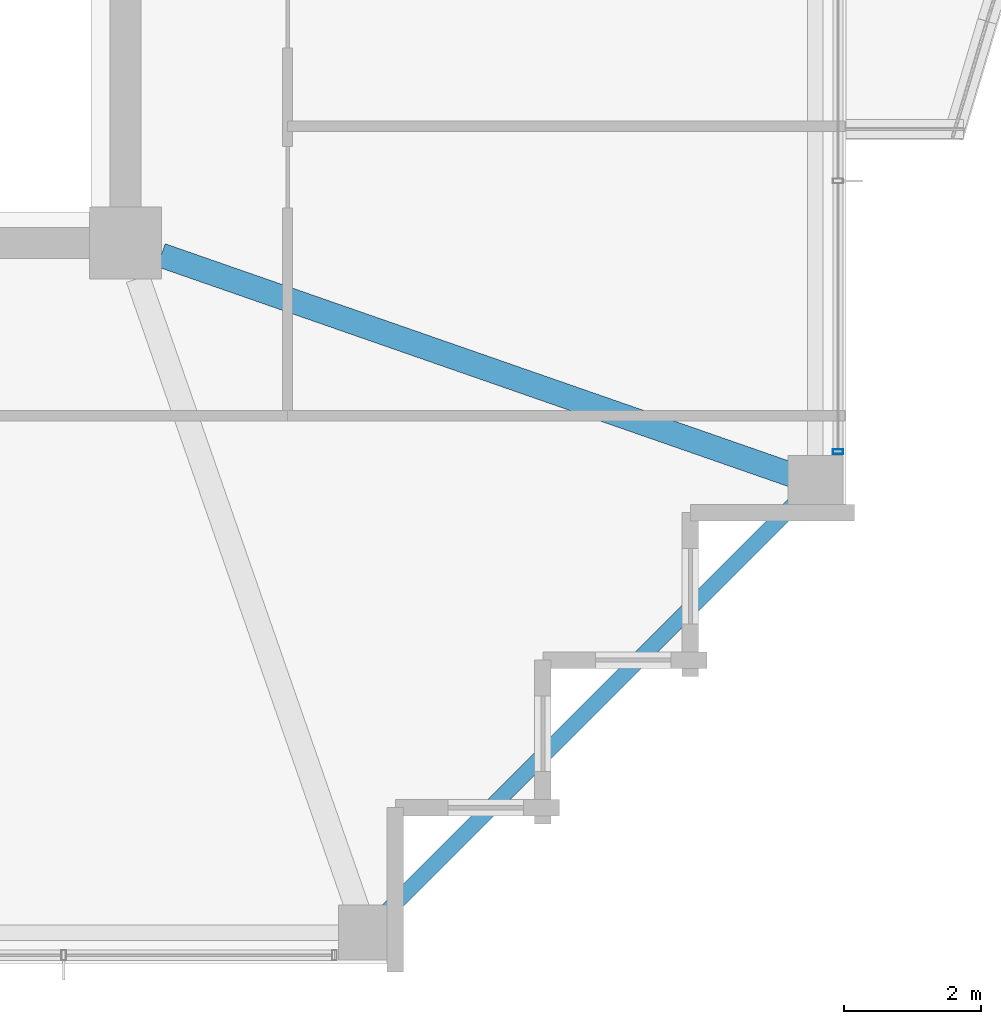
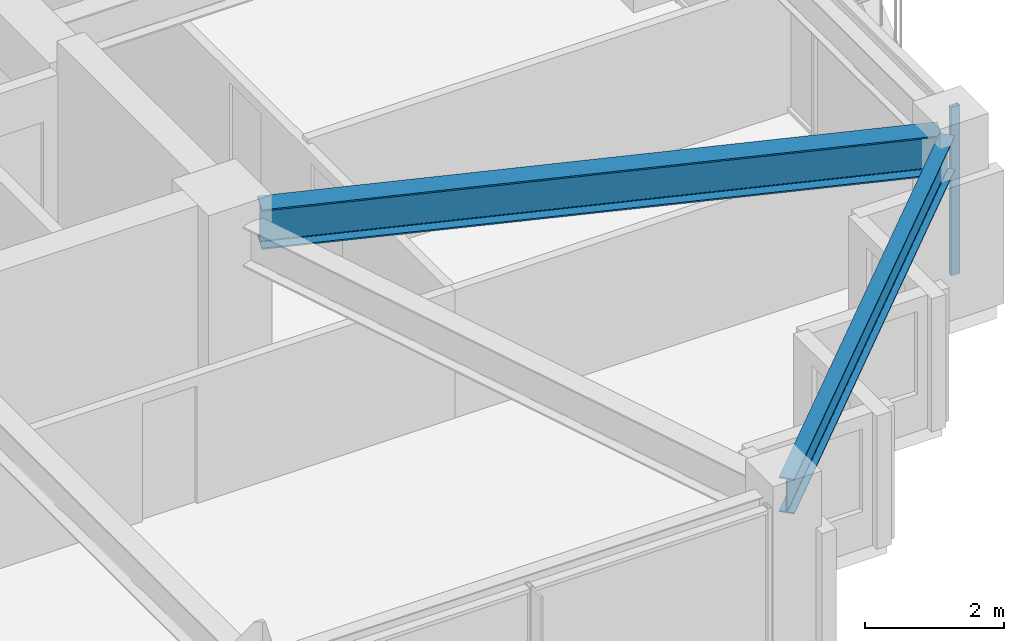
# One storey, part 11 of 34: 2 beams, 1 member, 1 element without a shape of its own.
"""IFC4 building model written with IfcOpenShell, lengths in metres."""

from ifc_helpers import new_model, si_unit, direction, frame, origin, origin_2d, place, context, subcontext, project, spatial, hollow_rectangle, i_section, extrude, material, material_profile, profile_set, type_object, element, aggregate, save


model = new_model("IFC4")

# Units and contexts
model_context = context("Model", 3, precision=1e-05, world=origin(), true_north=direction((0.0, 1.0)))
body_context = subcontext(model_context, "Body", "Model", "MODEL_VIEW")
ifc_project = project(units=[si_unit("LENGTHUNIT", "METRE"), si_unit("AREAUNIT", "SQUARE_METRE"), si_unit("VOLUMEUNIT", "CUBIC_METRE"), si_unit("PLANEANGLEUNIT", "RADIAN"), si_unit("MASSUNIT", "GRAM", prefix="KILO")], contexts=[model_context])

# Site, building, storey
site_placement = place(None, origin())
site = spatial("IfcSite", under=ifc_project, at=site_placement, CompositionType="ELEMENT")
building_placement = place(site_placement, origin())
building = spatial("IfcBuilding", under=site, at=building_placement, Name="Kolvaren Belvedere", CompositionType="ELEMENT")
storey_placement = place(building_placement, frame((0.0, 0.0, 229.5)))
storey = spatial("IfcBuildingStorey", under=building, at=storey_placement, Name="L67", CompositionType="ELEMENT", Elevation=229.5)

# Beams
ifc_material_1 = material(Name="Structural steel ASTM A992 Grade 50", Category="steel")
ifc_material_profile_1 = material_profile(ifc_material_1, i_section(OverallWidth=0.35498046875, OverallDepth=0.696044921875, WebThickness=0.015380859375, FlangeThickness=0.02490234375, FilletRadius=0.02197265625, at=origin_2d()), Name="W27X146")
ifc_profile_set_1 = profile_set([ifc_material_profile_1], Name="Structural steel ASTM A992 Grade 50")
beam_type_1 = type_object("IfcBeamType", Name="BM-GIRD-W27X146", PredefinedType="BEAM", material=ifc_profile_set_1)
beam_1_placement = place(storey_placement, frame((10.41943359375, -10.080810546875, 2.60205078125), z_axis=(0.944365399758, -0.328898147971, 0.0), x_axis=(0.328898147971, 0.944365399758, 0.0)))
element("IfcBeam", 1, at=beam_1_placement, inside=storey, type_object=beam_type_1, Name="L67 Corner Core-to-Perimeter Girder CC2-E1", PredefinedType="BEAM", context=body_context, shape_type="SweptSolid", body=[
    extrude(i_section(OverallWidth=0.35498046875, OverallDepth=0.696044921875, WebThickness=0.015380859375, FlangeThickness=0.02490234375, FilletRadius=0.02197265625, at=origin_2d()), origin(), (0.0, 0.0, 1.0), 9.931884765625),
])
ifc_material_2 = material(Name="Structural steel ASTM A992 Grade 50", Category="steel")
ifc_material_profile_2 = material_profile(ifc_material_2, i_section(OverallWidth=0.22900390625, OverallDepth=0.612060546875, WebThickness=0.011962890625, FlangeThickness=0.01953125, FilletRadius=0.01806640625, at=origin_2d()), Name="W24X84")
ifc_profile_set_2 = profile_set([ifc_material_profile_2], Name="Structural steel ASTM A992 Grade 50")
beam_type_2 = type_object("IfcBeamType", Name="BM-SPAN-W24X84", PredefinedType="SPANDREL", material=ifc_profile_set_2)
beam_2_placement = place(storey_placement, frame((13.52734375, -19.82275390625, 2.64404296875), z_axis=(0.707106781187, 0.707106781187, 0.0), x_axis=(-0.707106781187, 0.707106781187, 0.0)))
element("IfcBeam", 2, at=beam_2_placement, inside=storey, type_object=beam_type_2, Name="L67 Perimeter Spandrel S4-E1", PredefinedType="SPANDREL", context=body_context, shape_type="SweptSolid", body=[
    extrude(i_section(OverallWidth=0.22900390625, OverallDepth=0.612060546875, WebThickness=0.011962890625, FlangeThickness=0.01953125, FilletRadius=0.01806640625, at=origin_2d()), origin(), (0.0, 0.0, 1.0), 8.903076171875),
])

# Curtain wall, member
ifc_material_3 = material(Name="Anodised pale-metal aluminium AA 6063-T6", Category="aluminium")
curtain_wall_type = type_object("IfcCurtainWallType", Name="CW-Z5-HIGH", PredefinedType="NOTDEFINED", material=ifc_material_3)
curtain_wall_placement = place(storey_placement, origin())
curtain_wall = element("IfcCurtainWall", 3, at=curtain_wall_placement, inside=storey, type_object=curtain_wall_type, Name="L67 Unitised Curtain Wall FCW-L67-E2-B2", PredefinedType="NOTDEFINED")
ifc_material_4 = material(Name="Anodised pale-metal aluminium AA 6063-T6", Category="aluminium")
ifc_material_profile_3 = material_profile(ifc_material_4, hollow_rectangle(XDim=0.070068359375, YDim=0.14990234375, WallThickness=0.004150390625, at=origin_2d()), Name="ALU-MUL-150X70")
ifc_profile_set_3 = profile_set([ifc_material_profile_3], Name="Anodised pale-metal aluminium AA 6063-T6")
member_type = type_object("IfcMemberType", Name="CW-MUL-150", PredefinedType="MULLION", material=ifc_profile_set_3)
member_placement = place(storey_placement, frame((20.280029296875, -12.945068359375, 0.0), z_axis=(0.0, 0.0, 1.0), x_axis=(0.0, 1.0, 0.0)))
member = element("IfcMember", 4, at=member_placement, type_object=member_type, Name="FCW-L67-E2-B2 Unitised Mullion 3", PredefinedType="MULLION", context=body_context, shape_type="SweptSolid", body=[
    extrude(hollow_rectangle(XDim=0.070068359375, YDim=0.14990234375, WallThickness=0.004150390625, at=origin_2d()), origin(), (0.0, 0.0, 1.0), 2.949951171875),
])
aggregate(curtain_wall, [member])

save(model, "model.ifc")
